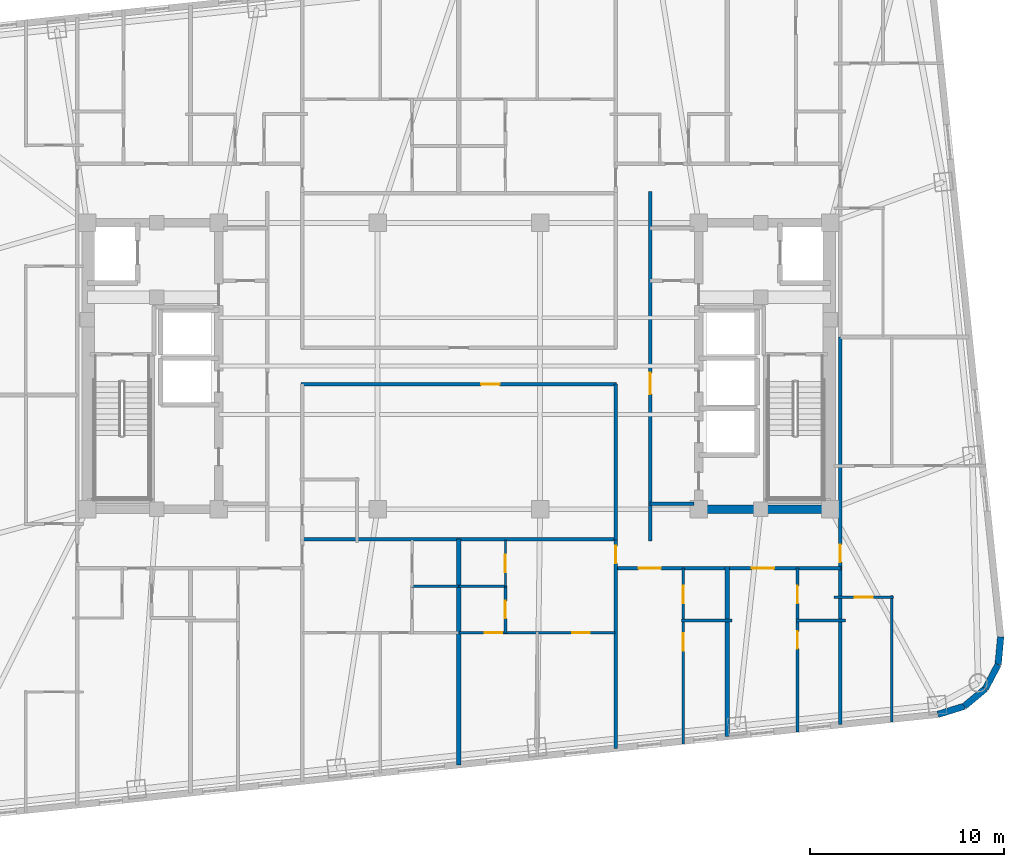
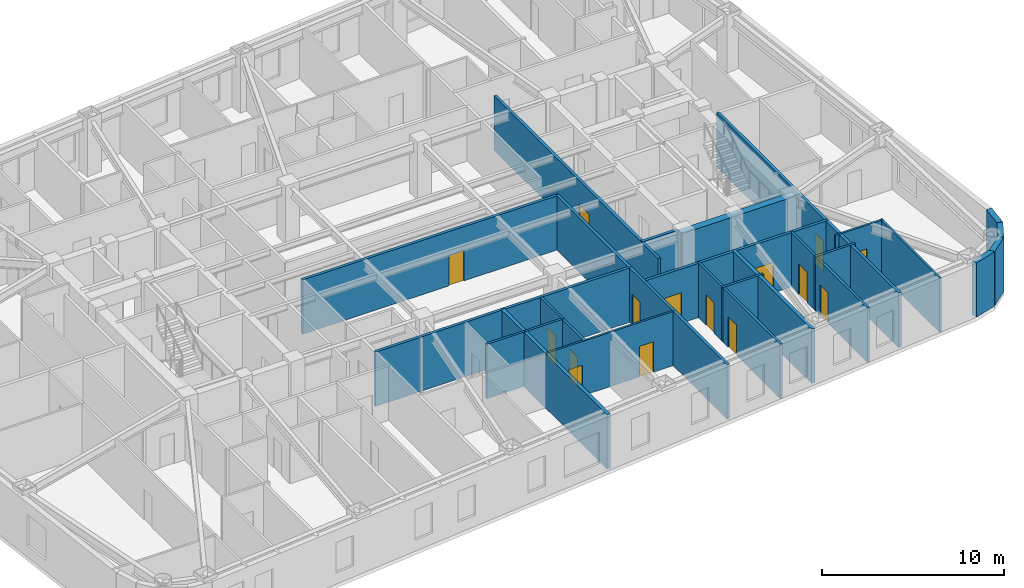
# One storey, part 5 of 11: 28 walls, 15 doors, 15 openings.
"""IFC4 building model written with IfcOpenShell, lengths in metres."""

from ifc_helpers import new_model, si_unit, direction, frame, frame_2d, origin, place, context, subcontext, project, spatial, rectangle, extrude, material, layer, layer_set, type_object, element, fill, save


model = new_model("IFC4")

# Units and contexts
model_context = context("Model", 3, precision=1e-05, world=origin(), true_north=direction((0.0, 1.0)))
body_context = subcontext(model_context, "Body", "Model", "MODEL_VIEW")
ifc_project = project(units=[si_unit("LENGTHUNIT", "METRE"), si_unit("AREAUNIT", "SQUARE_METRE"), si_unit("VOLUMEUNIT", "CUBIC_METRE"), si_unit("PLANEANGLEUNIT", "RADIAN"), si_unit("MASSUNIT", "GRAM", prefix="KILO")], contexts=[model_context])

# Site, building, storey
site_placement = place(None, origin())
site = spatial("IfcSite", under=ifc_project, at=site_placement, CompositionType="ELEMENT")
building_placement = place(site_placement, origin())
building = spatial("IfcBuilding", under=site, at=building_placement, Name="Voryun Gate Residences", CompositionType="ELEMENT")
storey_placement = place(building_placement, frame((0.0, 0.0, 156.0)))
storey = spatial("IfcBuildingStorey", under=building, at=storey_placement, Name="L38", CompositionType="ELEMENT", Elevation=156.0)

# Walls
ifc_material_1 = material(Name="Concrete C50/60", Category="concrete")
ifc_layer_1 = layer(ifc_material_1, 0.449951171875, Name="CW_CORE_450")
ifc_layer_set_1 = layer_set([ifc_layer_1], Name="Concrete C50/60")
wall_type_1 = type_object("IfcWallType", Name="CW_CORE_450", PredefinedType="SHEAR", material=ifc_layer_set_1)
wall_1_placement = place(storey_placement, frame((12.175048828125, -7.39990234375, 0.0), z_axis=(0.0, 0.0, 1.0), x_axis=(1.0, 0.0, 0.0)))
element("IfcWall", 1, at=wall_1_placement, inside=storey, type_object=wall_type_1, Name="L38 Core shear wall CW-L38-ES", PredefinedType="SHEAR", context=body_context, shape_type="SweptSolid", body=[
    extrude(rectangle(XDim=7.25, YDim=0.449951171875, at=frame_2d((3.625, 0.0))), origin(), (0.0, 0.0, 1.0), 3.64990234375),
])
ifc_material_2 = material(Name="Gypsum acoustic fireboard")
ifc_layer_2 = layer(ifc_material_2, 0.179931640625, Name="W_CORR_RATED_180")
ifc_layer_set_2 = layer_set([ifc_layer_2], Name="Gypsum acoustic fireboard")
wall_type_2 = type_object("IfcWallType", Name="W_CORR_RATED_180", PredefinedType="PARTITIONING", material=ifc_layer_set_2)
wall_2_placement = place(storey_placement, frame((9.8798828125, -7.1201171875, 0.0), z_axis=(0.0, 0.0, 1.0), x_axis=(1.0, 0.0, 0.0)))
element("IfcWall", 2, at=wall_2_placement, inside=storey, type_object=wall_type_2, Name="Partition wall WP-L38-PLBS-E", PredefinedType="PARTITIONING", context=body_context, shape_type="SweptSolid", body=[
    extrude(rectangle(XDim=2.27001953125, YDim=0.179931640625, at=frame_2d((1.135009765625, 0.0))), origin(), (0.0, 0.0, 1.0), 3.64990234375),
])

# Wall, opening, door
wall_3_placement = place(storey_placement, frame((9.89990234375, -9.030029296875, 0.0), z_axis=(0.0, 0.0, 1.0), x_axis=(0.0, 1.0, 0.0)))
wall_3 = element("IfcWall", 3, at=wall_3_placement, inside=storey, type_object=wall_type_2, Name="Partition wall WP-L38-PLBE-FULL", PredefinedType="PARTITIONING", context=body_context, shape_type="SweptSolid", body=[
    extrude(rectangle(XDim=18.06005859375, YDim=0.179931640625, at=frame_2d((9.030029296875, 0.0))), origin(), (0.0, 0.0, 1.0), 3.64990234375),
])
opening_1_placement = place(wall_3_placement, frame((7.576904296875, 0.0, 0.0)))
opening_1 = element("IfcOpeningElement", 4, at=opening_1_placement, cuts=wall_3, Name="Opening D-FD60-2", PredefinedType="OPENING", context=body_context, shape_type="SweptSolid", body=[
    extrude(rectangle(XDim=1.10009765625, YDim=2.050048828125, at=frame_2d((0.550048828125, 1.02490234375))), frame((0.0, 0.099853515625, 0.0), z_axis=(0.0, -1.0, 0.0), x_axis=(1.0, 0.0, 0.0)), (0.0, 0.0, 1.0), 0.199951171875),
])
ifc_material_3 = material(Name="Painted steel fire door", Category="steel")
door_type_1 = type_object("IfcDoorType", Name="DR_FD60_FFLOB_1100", OperationType="NOTDEFINED", PredefinedType="DOOR", material=ifc_material_3)
door_1_placement = place(opening_1_placement, origin())
door_1 = element("IfcDoor", 5, at=door_1_placement, inside=storey, type_object=door_type_1, Name="Door DR-L38-PLBE-COR", OperationType="SINGLE_SWING_RIGHT", OverallHeight=2.050048828125, OverallWidth=1.10009765625, PredefinedType="DOOR", context=body_context, shape_type="SweptSolid", body=[
    extrude(rectangle(XDim=1.10009765625, YDim=2.050048828125, at=frame_2d((0.550048828125, 1.02490234375))), frame((0.0, 0.02490234375, 0.0), z_axis=(0.0, -1.0, 0.0), x_axis=(1.0, 0.0, 0.0)), (0.0, 0.0, 1.0), 0.050048828125),
])
fill(opening_1, door_1)

# Wall
wall_4_placement = place(storey_placement, frame((-8.14990234375, -8.93994140625, 0.0), z_axis=(0.0, 0.0, 1.0), x_axis=(1.0, 0.0, 0.0)))
element("IfcWall", 6, at=wall_4_placement, inside=storey, type_object=wall_type_2, Name="Partition wall WP-L38-Z2S", PredefinedType="PARTITIONING", context=body_context, shape_type="SweptSolid", body=[
    extrude(rectangle(XDim=16.2998046875, YDim=0.179931640625, at=frame_2d((8.14990234375, 0.0))), origin(), (0.0, 0.0, 1.0), 3.64990234375),
])

# Wall, opening, door
wall_5_placement = place(storey_placement, frame((-8.14990234375, -0.93994140625, 0.0), z_axis=(0.0, 0.0, 1.0), x_axis=(1.0, 0.0, 0.0)))
wall_5 = element("IfcWall", 7, at=wall_5_placement, inside=storey, type_object=wall_type_2, Name="Partition wall WP-L38-Z2HS", PredefinedType="PARTITIONING", context=body_context, shape_type="SweptSolid", body=[
    extrude(rectangle(XDim=16.2998046875, YDim=0.179931640625, at=frame_2d((8.14990234375, 0.0))), origin(), (0.0, 0.0, 1.0), 3.64990234375),
])
opening_2_placement = place(wall_5_placement, frame((9.304931640625, 0.0, 0.0)))
opening_2 = element("IfcOpeningElement", 8, at=opening_2_placement, cuts=wall_5, Name="Opening D-INT-1", PredefinedType="OPENING", context=body_context, shape_type="SweptSolid", body=[
    extrude(rectangle(XDim=0.949951171875, YDim=2.050048828125, at=frame_2d((0.47509765625, 1.02490234375))), frame((0.0, 0.099853515625, 0.0), z_axis=(0.0, -1.0, 0.0), x_axis=(1.0, 0.0, 0.0)), (0.0, 0.0, 1.0), 0.199951171875),
])
ifc_material_4 = material(Name="Architectural oak veneer")
door_type_2 = type_object("IfcDoorType", Name="DR_INT_ROOM_950", OperationType="NOTDEFINED", PredefinedType="DOOR", material=ifc_material_4)
door_2_placement = place(opening_2_placement, origin())
door_2 = element("IfcDoor", 9, at=door_2_placement, inside=storey, type_object=door_type_2, Name="Door DR-L38-Z2SH", OperationType="SINGLE_SWING_RIGHT", OverallHeight=2.050048828125, OverallWidth=0.949951171875, PredefinedType="DOOR", context=body_context, shape_type="SweptSolid", body=[
    extrude(rectangle(XDim=0.949951171875, YDim=2.050048828125, at=frame_2d((0.47509765625, 1.02490234375))), frame((0.0, 0.02490234375, 0.0), z_axis=(0.0, -1.0, 0.0), x_axis=(1.0, 0.0, 0.0)), (0.0, 0.0, 1.0), 0.050048828125),
])
fill(opening_2, door_2)

# Wall
wall_6_placement = place(storey_placement, frame((8.10009765625, -8.97998046875, 0.0), z_axis=(0.0, 0.0, 1.0), x_axis=(0.0, 1.0, 0.0)))
element("IfcWall", 10, at=wall_6_placement, inside=storey, type_object=wall_type_2, Name="Partition wall WP-L38-Z2ER2", PredefinedType="PARTITIONING", context=body_context, shape_type="SweptSolid", body=[
    extrude(rectangle(XDim=8.06005859375, YDim=0.179931640625, at=frame_2d((4.030029296875, 0.0))), origin(), (0.0, 0.0, 1.0), 3.64990234375),
])

# Wall, openings, doors
wall_7_placement = place(storey_placement, frame((8.080078125, -10.449951171875, 0.0), z_axis=(0.0, 0.0, 1.0), x_axis=(1.0, 0.0, 0.0)))
wall_7 = element("IfcWall", 11, at=wall_7_placement, inside=storey, type_object=wall_type_2, Name="Partition wall WP-L38-SCORR-E", PredefinedType="PARTITIONING", context=body_context, shape_type="SweptSolid", body=[
    extrude(rectangle(XDim=11.669921875, YDim=0.179931640625, at=frame_2d((5.8349609375, 0.0))), origin(), (0.0, 0.0, 1.0), 3.64990234375),
])
opening_3_placement = place(wall_7_placement, frame((1.212890625, 0.0, 0.0)))
opening_3 = element("IfcOpeningElement", 12, at=opening_3_placement, cuts=wall_7, Name="Opening D-UNIT-1", PredefinedType="OPENING", context=body_context, shape_type="SweptSolid", body=[
    extrude(rectangle(XDim=1.14990234375, YDim=2.050048828125, at=frame_2d((0.574951171875, 1.02490234375))), frame((0.0, 0.099853515625, 0.0), z_axis=(0.0, -1.0, 0.0), x_axis=(1.0, 0.0, 0.0)), (0.0, 0.0, 1.0), 0.199951171875),
])
opening_4_placement = place(wall_7_placement, frame((7.05712890625, 0.0, 0.0)))
opening_4 = element("IfcOpeningElement", 13, at=opening_4_placement, cuts=wall_7, Name="Opening D-UNIT-1", PredefinedType="OPENING", context=body_context, shape_type="SweptSolid", body=[
    extrude(rectangle(XDim=1.14990234375, YDim=2.050048828125, at=frame_2d((0.574951171875, 1.02490234375))), frame((0.0, 0.099853515625, 0.0), z_axis=(0.0, -1.0, 0.0), x_axis=(1.0, 0.0, 0.0)), (0.0, 0.0, 1.0), 0.199951171875),
])
ifc_material_5 = material(Name="Armoured timber-clad fire door", Category="wood")
door_type_3 = type_object("IfcDoorType", Name="DR_UNIT_ENTRY_1150", OperationType="NOTDEFINED", PredefinedType="DOOR", material=ifc_material_5)
door_3_placement = place(opening_3_placement, origin())
door_3 = element("IfcDoor", 14, at=door_3_placement, inside=storey, type_object=door_type_3, Name="Door DR-L38-SENT-4", OperationType="SINGLE_SWING_LEFT", OverallHeight=2.050048828125, OverallWidth=1.14990234375, PredefinedType="DOOR", context=body_context, shape_type="SweptSolid", body=[
    extrude(rectangle(XDim=1.14990234375, YDim=2.050048828125, at=frame_2d((0.574951171875, 1.02490234375))), frame((0.0, 0.02490234375, 0.0), z_axis=(0.0, -1.0, 0.0), x_axis=(1.0, 0.0, 0.0)), (0.0, 0.0, 1.0), 0.050048828125),
])
fill(opening_3, door_3)
door_4_placement = place(opening_4_placement, origin())
door_4 = element("IfcDoor", 15, at=door_4_placement, inside=storey, type_object=door_type_3, Name="Door DR-L38-SENT-5", OperationType="SINGLE_SWING_RIGHT", OverallHeight=2.050048828125, OverallWidth=1.14990234375, PredefinedType="DOOR", context=body_context, shape_type="SweptSolid", body=[
    extrude(rectangle(XDim=1.14990234375, YDim=2.050048828125, at=frame_2d((0.574951171875, 1.02490234375))), frame((0.0, 0.02490234375, 0.0), z_axis=(0.0, -1.0, 0.0), x_axis=(1.0, 0.0, 0.0)), (0.0, 0.0, 1.0), 0.050048828125),
])
fill(opening_4, door_4)

# Wall, opening, door
wall_8_placement = place(storey_placement, frame((8.10009765625, -19.75390625, 0.0), z_axis=(0.0, 0.0, 1.0), x_axis=(0.0, 1.0, 0.0)))
wall_8 = element("IfcWall", 16, at=wall_8_placement, inside=storey, type_object=wall_type_2, Name="Partition wall WP-L38-SZV-2", PredefinedType="PARTITIONING", context=body_context, shape_type="SweptSolid", body=[
    extrude(rectangle(XDim=10.81396484375, YDim=0.179931640625, at=frame_2d((5.406982421875, 0.0))), origin(), (0.0, 0.0, 1.0), 3.64990234375),
])
opening_5_placement = place(wall_8_placement, frame((9.563720703125, 0.0, 0.0)))
opening_5 = element("IfcOpeningElement", 17, at=opening_5_placement, cuts=wall_8, Name="Opening D-INT-2", PredefinedType="OPENING", context=body_context, shape_type="SweptSolid", body=[
    extrude(rectangle(XDim=0.89990234375, YDim=2.050048828125, at=frame_2d((0.449951171875, 1.02490234375))), frame((0.0, 0.099853515625, 0.0), z_axis=(0.0, -1.0, 0.0), x_axis=(1.0, 0.0, 0.0)), (0.0, 0.0, 1.0), 0.199951171875),
])
ifc_material_6 = material(Name="Architectural oak veneer")
door_type_4 = type_object("IfcDoorType", Name="DR_INT_BATH_900", OperationType="NOTDEFINED", PredefinedType="DOOR", material=ifc_material_6)
door_5_placement = place(opening_5_placement, origin())
door_5 = element("IfcDoor", 18, at=door_5_placement, inside=storey, type_object=door_type_4, Name="Door DR-L38-SZENT-2", OperationType="SINGLE_SWING_RIGHT", OverallHeight=2.050048828125, OverallWidth=0.89990234375, PredefinedType="DOOR", context=body_context, shape_type="SweptSolid", body=[
    extrude(rectangle(XDim=0.89990234375, YDim=2.050048828125, at=frame_2d((0.449951171875, 1.02490234375))), frame((0.0, 0.02490234375, 0.0), z_axis=(0.0, -1.0, 0.0), x_axis=(1.0, 0.0, 0.0)), (0.0, 0.0, 1.0), 0.050048828125),
])
fill(opening_5, door_5)

wall_9_placement = place(storey_placement, frame((19.719970703125, -18.532470703125, 0.0), z_axis=(0.0, 0.0, 1.0), x_axis=(0.0, 1.0, 0.0)))
wall_9 = element("IfcWall", 19, at=wall_9_placement, inside=storey, type_object=wall_type_2, Name="Partition wall WP-L38-ECOR1", PredefinedType="PARTITIONING", context=body_context, shape_type="SweptSolid", body=[
    extrude(rectangle(XDim=20.032470703125, YDim=0.179931640625, at=frame_2d((10.01611328125, 0.0))), origin(), (0.0, 0.0, 1.0), 3.64990234375),
])
opening_6_placement = place(wall_9_placement, frame((8.40234375, 0.0, 0.0)))
opening_6 = element("IfcOpeningElement", 20, at=opening_6_placement, cuts=wall_9, Name="Opening D-INT-2", PredefinedType="OPENING", context=body_context, shape_type="SweptSolid", body=[
    extrude(rectangle(XDim=0.89990234375, YDim=2.050048828125, at=frame_2d((0.449951171875, 1.02490234375))), frame((0.0, 0.099853515625, 0.0), z_axis=(0.0, -1.0, 0.0), x_axis=(1.0, 0.0, 0.0)), (0.0, 0.0, 1.0), 0.199951171875),
])
door_6_placement = place(opening_6_placement, origin())
door_6 = element("IfcDoor", 21, at=door_6_placement, inside=storey, type_object=door_type_4, Name="Door DR-L38-EE1", OperationType="SINGLE_SWING_LEFT", OverallHeight=2.050048828125, OverallWidth=0.89990234375, PredefinedType="DOOR", context=body_context, shape_type="SweptSolid", body=[
    extrude(rectangle(XDim=0.89990234375, YDim=2.050048828125, at=frame_2d((0.449951171875, 1.02490234375))), frame((0.0, 0.02490234375, 0.0), z_axis=(0.0, -1.0, 0.0), x_axis=(1.0, 0.0, 0.0)), (0.0, 0.0, 1.0), 0.050048828125),
])
fill(opening_6, door_6)

# Walls
ifc_material_7 = material(Name="Charcoal terracotta masonry", Category="masonry")
ifc_layer_3 = layer(ifc_material_7, 0.340087890625, Name="W_EXT_TERRACOTTA_340")
ifc_layer_set_3 = layer_set([ifc_layer_3], Name="Charcoal terracotta masonry")
wall_type_3 = type_object("IfcWallType", Name="W_EXT_TERRACOTTA_340", PredefinedType="ELEMENTEDWALL", material=ifc_layer_set_3)
wall_10_placement = place(storey_placement, frame((28.001220703125, -13.9951171875, 0.0), z_axis=(0.0, 0.0, 1.0), x_axis=(-0.091534682358, -0.995801888894, 0.0)))
element("IfcWall", 22, at=wall_10_placement, inside=storey, type_object=wall_type_3, Name="Exterior wall WEXT-L38-17", PredefinedType="ELEMENTEDWALL", context=body_context, shape_type="SweptSolid", body=[
    extrude(rectangle(XDim=1.432373046875, YDim=0.340087890625, at=frame_2d((0.71630859375, 0.0))), origin(), (0.0, 0.0, 1.0), 3.64990234375),
])
for number, where, z_axis, x_axis, name in (
    (23, (27.8701171875, -15.42138671875, 0.0), (0.0, 0.0, 1.0), (-0.465682431293, -0.884951904447, 0.0), "Exterior wall WEXT-L38-18"),
    (24, (27.211181640625, -16.673583984375, 0.0), (0.0, 0.0, 1.0), (-0.768758372808, -0.639539337522, 0.0), "Exterior wall WEXT-L38-19"),
):
    element("IfcWall", number, at=place(storey_placement, frame(where, z_axis=z_axis, x_axis=x_axis)), inside=storey, type_object=wall_type_3, Name=name, PredefinedType="ELEMENTEDWALL", context=body_context, shape_type="SweptSolid", body=[
        extrude(rectangle(XDim=1.4150390625, YDim=0.340087890625, at=frame_2d((0.70751953125, 0.0))), origin(), (0.0, 0.0, 1.0), 3.64990234375),
    ])
wall_11_placement = place(storey_placement, frame((26.123291015625, -17.57861328125, 0.0), z_axis=(0.0, 0.0, 1.0), x_axis=(-0.955042500381, -0.296468923271, 0.0)))
element("IfcWall", 25, at=wall_11_placement, inside=storey, type_object=wall_type_3, Name="Exterior wall WEXT-L38-20", PredefinedType="ELEMENTEDWALL", context=body_context, shape_type="SweptSolid", body=[
    extrude(rectangle(XDim=1.43212890625, YDim=0.340087890625, at=frame_2d((0.716064453125, 0.0))), origin(), (0.0, 0.0, 1.0), 3.64990234375),
])
ifc_material_8 = material(Name="Concrete C40/50", Category="concrete")
ifc_layer_4 = layer(ifc_material_8, 0.219970703125, Name="W_PARTY_ACOUSTIC_220")
ifc_layer_set_4 = layer_set([ifc_layer_4], Name="Concrete C40/50")
wall_type_4 = type_object("IfcWallType", Name="W_PARTY_ACOUSTIC_220", PredefinedType="PARTITIONING", material=ifc_layer_set_4)
wall_12_placement = place(storey_placement, frame((13.864990234375, -19.147705078125, 0.0), z_axis=(0.0, 0.0, 1.0), x_axis=(0.0, 1.0, 0.0)))
element("IfcWall", 26, at=wall_12_placement, inside=storey, type_object=wall_type_4, Name="Partition wall WP-L38-SPTY-4", PredefinedType="PARTITIONING", context=body_context, shape_type="SweptSolid", body=[
    extrude(rectangle(XDim=8.777587890625, YDim=0.219970703125, at=frame_2d((4.388671875, 0.0))), origin(), (0.0, 0.0, 1.0), 3.64990234375),
])
wall_13_placement = place(storey_placement, frame((0.0, -20.60498046875, 0.0), z_axis=(0.0, 0.0, 1.0), x_axis=(0.0, 1.0, 0.0)))
element("IfcWall", 27, at=wall_13_placement, inside=storey, type_object=wall_type_4, Name="Partition wall WP-L38-SZMID", PredefinedType="PARTITIONING", context=body_context, shape_type="SweptSolid", body=[
    extrude(rectangle(XDim=11.6650390625, YDim=0.219970703125, at=frame_2d((5.83251953125, 0.0))), origin(), (0.0, 0.0, 1.0), 3.64990234375),
])

# Wall, openings, doors
ifc_material_9 = material(Name="Gypsum acoustic partition")
ifc_layer_5 = layer(ifc_material_9, 0.125, Name="W_UNIT_PART_125")
ifc_layer_set_5 = layer_set([ifc_layer_5], Name="Gypsum acoustic partition")
wall_type_5 = type_object("IfcWallType", Name="W_UNIT_PART_125", PredefinedType="PARTITIONING", material=ifc_layer_set_5)
wall_14_placement = place(storey_placement, frame((0.02001953125, -13.780029296875, 0.0), z_axis=(0.0, 0.0, 1.0), x_axis=(1.0, 0.0, 0.0)))
wall_14 = element("IfcWall", 28, at=wall_14_placement, inside=storey, type_object=wall_type_5, Name="Partition wall WP-L38-SC2-HZ", PredefinedType="PARTITIONING", context=body_context, shape_type="SweptSolid", body=[
    extrude(rectangle(XDim=8.06005859375, YDim=0.125, at=frame_2d((4.030029296875, 0.0))), origin(), (0.0, 0.0, 1.0), 3.64990234375),
])
opening_7_placement = place(wall_14_placement, frame((1.3232421875, 0.0, 0.0)))
opening_7 = element("IfcOpeningElement", 29, at=opening_7_placement, cuts=wall_14, Name="Opening D-INT-2", PredefinedType="OPENING", context=body_context, shape_type="SweptSolid", body=[
    extrude(rectangle(XDim=0.89990234375, YDim=2.050048828125, at=frame_2d((0.449951171875, 1.02490234375))), frame((0.0, 0.072509765625, 0.0), z_axis=(0.0, -1.0, 0.0), x_axis=(1.0, 0.0, 0.0)), (0.0, 0.0, 1.0), 0.14501953125),
])
opening_8_placement = place(wall_14_placement, frame((5.8369140625, 0.0, 0.0)))
opening_8 = element("IfcOpeningElement", 30, at=opening_8_placement, cuts=wall_14, Name="Opening D-INT-2", PredefinedType="OPENING", context=body_context, shape_type="SweptSolid", body=[
    extrude(rectangle(XDim=0.89990234375, YDim=2.050048828125, at=frame_2d((0.449951171875, 1.02490234375))), frame((0.0, 0.072509765625, 0.0), z_axis=(0.0, -1.0, 0.0), x_axis=(1.0, 0.0, 0.0)), (0.0, 0.0, 1.0), 0.14501953125),
])
door_7_placement = place(opening_7_placement, origin())
door_7 = element("IfcDoor", 31, at=door_7_placement, inside=storey, type_object=door_type_4, Name="Door DR-L38-SC2-DMB", OperationType="SINGLE_SWING_LEFT", OverallHeight=2.050048828125, OverallWidth=0.89990234375, PredefinedType="DOOR", context=body_context, shape_type="SweptSolid", body=[
    extrude(rectangle(XDim=0.89990234375, YDim=2.050048828125, at=frame_2d((0.449951171875, 1.02490234375))), frame((0.0, 0.02490234375, 0.0), z_axis=(0.0, -1.0, 0.0), x_axis=(1.0, 0.0, 0.0)), (0.0, 0.0, 1.0), 0.050048828125),
])
fill(opening_7, door_7)
door_8_placement = place(opening_8_placement, origin())
door_8 = element("IfcDoor", 32, at=door_8_placement, inside=storey, type_object=door_type_4, Name="Door DR-L38-SC2-DBD2", OperationType="SINGLE_SWING_RIGHT", OverallHeight=2.050048828125, OverallWidth=0.89990234375, PredefinedType="DOOR", context=body_context, shape_type="SweptSolid", body=[
    extrude(rectangle(XDim=0.89990234375, YDim=2.050048828125, at=frame_2d((0.449951171875, 1.02490234375))), frame((0.0, 0.02490234375, 0.0), z_axis=(0.0, -1.0, 0.0), x_axis=(1.0, 0.0, 0.0)), (0.0, 0.0, 1.0), 0.050048828125),
])
fill(opening_8, door_8)

# Wall, opening, door
wall_15_placement = place(storey_placement, frame((2.409912109375, -11.409912109375, 0.0), z_axis=(0.0, 0.0, 1.0), x_axis=(0.0, 1.0, 0.0)))
wall_15 = element("IfcWall", 33, at=wall_15_placement, inside=storey, type_object=wall_type_5, Name="Partition wall WP-L38-SC2-VK1", PredefinedType="PARTITIONING", context=body_context, shape_type="SweptSolid", body=[
    extrude(rectangle(XDim=2.409912109375, YDim=0.125, at=frame_2d((1.205078125, 0.0))), origin(), (0.0, 0.0, 1.0), 3.64990234375),
])
opening_9_placement = place(wall_15_placement, frame((0.7548828125, 0.0, 0.0)))
opening_9 = element("IfcOpeningElement", 34, at=opening_9_placement, cuts=wall_15, Name="Opening D-INT-2", PredefinedType="OPENING", context=body_context, shape_type="SweptSolid", body=[
    extrude(rectangle(XDim=0.89990234375, YDim=2.050048828125, at=frame_2d((0.449951171875, 1.02490234375))), frame((0.0, 0.072509765625, 0.0), z_axis=(0.0, -1.0, 0.0), x_axis=(1.0, 0.0, 0.0)), (0.0, 0.0, 1.0), 0.14501953125),
])
door_9_placement = place(opening_9_placement, origin())
door_9 = element("IfcDoor", 35, at=door_9_placement, inside=storey, type_object=door_type_4, Name="Door DR-L38-SC2-DK", OperationType="SINGLE_SWING_LEFT", OverallHeight=2.050048828125, OverallWidth=0.89990234375, PredefinedType="DOOR", context=body_context, shape_type="SweptSolid", body=[
    extrude(rectangle(XDim=0.89990234375, YDim=2.050048828125, at=frame_2d((0.449951171875, 1.02490234375))), frame((0.0, 0.02490234375, 0.0), z_axis=(0.0, -1.0, 0.0), x_axis=(1.0, 0.0, 0.0)), (0.0, 0.0, 1.0), 0.050048828125),
])
fill(opening_9, door_9)

wall_16_placement = place(storey_placement, frame((19.39990234375, -11.93896484375, 0.0), z_axis=(0.0, 0.0, 1.0), x_axis=(1.0, 0.0, 0.0)))
wall_16 = element("IfcWall", 36, at=wall_16_placement, inside=storey, type_object=wall_type_5, Name="Partition wall WP-L38-E1-IKA", PredefinedType="PARTITIONING", context=body_context, shape_type="SweptSolid", body=[
    extrude(rectangle(XDim=3.050048828125, YDim=0.125, at=frame_2d((1.52490234375, 0.0))), origin(), (0.0, 0.0, 1.0), 3.64990234375),
])
opening_10_placement = place(wall_16_placement, frame((1.050048828125, 0.0, 0.0)))
opening_10 = element("IfcOpeningElement", 37, at=opening_10_placement, cuts=wall_16, Name="Opening D-INT-1", PredefinedType="OPENING", context=body_context, shape_type="SweptSolid", body=[
    extrude(rectangle(XDim=0.949951171875, YDim=2.050048828125, at=frame_2d((0.47509765625, 1.02490234375))), frame((0.0, 0.072509765625, 0.0), z_axis=(0.0, -1.0, 0.0), x_axis=(1.0, 0.0, 0.0)), (0.0, 0.0, 1.0), 0.14501953125),
])
door_10_placement = place(opening_10_placement, origin())
door_10 = element("IfcDoor", 38, at=door_10_placement, inside=storey, type_object=door_type_2, Name="Door DR-L38-E1-DK", OperationType="SINGLE_SWING_LEFT", OverallHeight=2.050048828125, OverallWidth=0.949951171875, PredefinedType="DOOR", context=body_context, shape_type="SweptSolid", body=[
    extrude(rectangle(XDim=0.949951171875, YDim=2.050048828125, at=frame_2d((0.47509765625, 1.02490234375))), frame((0.0, 0.02490234375, 0.0), z_axis=(0.0, -1.0, 0.0), x_axis=(1.0, 0.0, 0.0)), (0.0, 0.0, 1.0), 0.050048828125),
])
fill(opening_10, door_10)

# Walls
wall_17_placement = place(storey_placement, frame((22.3701171875, -18.40478515625, 0.0), z_axis=(0.0, 0.0, 1.0), x_axis=(0.0, 1.0, 0.0)))
element("IfcWall", 39, at=wall_17_placement, inside=storey, type_object=wall_type_5, Name="Partition wall WP-L38-E1-VTA", PredefinedType="PARTITIONING", context=body_context, shape_type="SweptSolid", body=[
    extrude(rectangle(XDim=6.5458984375, YDim=0.125, at=frame_2d((3.27294921875, 0.0))), origin(), (0.0, 0.0, 1.0), 3.64990234375),
])
ifc_material_10 = material(Name="Gypsum moisture-resistant partition")
ifc_layer_6 = layer(ifc_material_10, 0.14990234375, Name="W_WET_PLUMB_150")
ifc_layer_set_6 = layer_set([ifc_layer_6], Name="Gypsum moisture-resistant partition")
wall_type_6 = type_object("IfcWallType", Name="W_WET_PLUMB_150", PredefinedType="PLUMBINGWALL", material=ifc_layer_set_6)
wall_18_placement = place(storey_placement, frame((11.51611328125, -13.14990234375, 0.0), z_axis=(0.0, 0.0, 1.0), x_axis=(1.0, 0.0, 0.0)))
element("IfcWall", 40, at=wall_18_placement, inside=storey, type_object=wall_type_6, Name="Partition wall WP-L38-S4-SKB", PredefinedType="PLUMBINGWALL", context=body_context, shape_type="SweptSolid", body=[
    extrude(rectangle(XDim=2.60888671875, YDim=0.14990234375, at=frame_2d((1.304443359375, 0.0))), origin(), (0.0, 0.0, 1.0), 3.64990234375),
])

# Wall, opening, door
wall_19_placement = place(storey_placement, frame((11.595947265625, -19.537109375, 0.0), z_axis=(0.0, 0.0, 1.0), x_axis=(0.0, 1.0, 0.0)))
wall_19 = element("IfcWall", 41, at=wall_19_placement, inside=storey, type_object=wall_type_6, Name="Partition wall WP-L38-S4-SVT1", PredefinedType="PLUMBINGWALL", context=body_context, shape_type="SweptSolid", body=[
    extrude(rectangle(XDim=6.427001953125, YDim=0.14990234375, at=frame_2d((3.21337890625, 0.0))), origin(), (0.0, 0.0, 1.0), 3.64990234375),
])
opening_11_placement = place(wall_19_placement, frame((4.8203125, 0.0, 0.0)))
opening_11 = element("IfcOpeningElement", 42, at=opening_11_placement, cuts=wall_19, Name="Opening D-INT-2", PredefinedType="OPENING", context=body_context, shape_type="SweptSolid", body=[
    extrude(rectangle(XDim=0.89990234375, YDim=2.050048828125, at=frame_2d((0.449951171875, 1.02490234375))), frame((0.0, 0.0849609375, 0.0), z_axis=(0.0, -1.0, 0.0), x_axis=(1.0, 0.0, 0.0)), (0.0, 0.0, 1.0), 0.169921875),
])
door_11_placement = place(opening_11_placement, origin())
door_11 = element("IfcDoor", 43, at=door_11_placement, inside=storey, type_object=door_type_4, Name="Door DR-L38-S4-DK", OperationType="SINGLE_SWING_LEFT", OverallHeight=2.050048828125, OverallWidth=0.89990234375, PredefinedType="DOOR", context=body_context, shape_type="SweptSolid", body=[
    extrude(rectangle(XDim=0.89990234375, YDim=2.050048828125, at=frame_2d((0.449951171875, 1.02490234375))), frame((0.0, 0.02490234375, 0.0), z_axis=(0.0, -1.0, 0.0), x_axis=(1.0, 0.0, 0.0)), (0.0, 0.0, 1.0), 0.050048828125),
])
fill(opening_11, door_11)

wall_20_placement = place(storey_placement, frame((11.595947265625, -13.18994140625, 0.0), z_axis=(0.0, 0.0, 1.0), x_axis=(0.0, 1.0, 0.0)))
wall_20 = element("IfcWall", 44, at=wall_20_placement, inside=storey, type_object=wall_type_6, Name="Partition wall WP-L38-S4-SVT2", PredefinedType="PLUMBINGWALL", context=body_context, shape_type="SweptSolid", body=[
    extrude(rectangle(XDim=2.760009765625, YDim=0.14990234375, at=frame_2d((1.3798828125, 0.0))), origin(), (0.0, 0.0, 1.0), 3.64990234375),
])
opening_12_placement = place(wall_20_placement, frame((0.929931640625, 0.0, 0.0)))
opening_12 = element("IfcOpeningElement", 45, at=opening_12_placement, cuts=wall_20, Name="Opening D-INT-2", PredefinedType="OPENING", context=body_context, shape_type="SweptSolid", body=[
    extrude(rectangle(XDim=0.89990234375, YDim=2.050048828125, at=frame_2d((0.449951171875, 1.02490234375))), frame((0.0, 0.0849609375, 0.0), z_axis=(0.0, -1.0, 0.0), x_axis=(1.0, 0.0, 0.0)), (0.0, 0.0, 1.0), 0.169921875),
])
door_12_placement = place(opening_12_placement, origin())
door_12 = element("IfcDoor", 46, at=door_12_placement, inside=storey, type_object=door_type_4, Name="Door DR-L38-S4-DB", OperationType="SINGLE_SWING_RIGHT", OverallHeight=2.050048828125, OverallWidth=0.89990234375, PredefinedType="DOOR", context=body_context, shape_type="SweptSolid", body=[
    extrude(rectangle(XDim=0.89990234375, YDim=2.050048828125, at=frame_2d((0.449951171875, 1.02490234375))), frame((0.0, 0.02490234375, 0.0), z_axis=(0.0, -1.0, 0.0), x_axis=(1.0, 0.0, 0.0)), (0.0, 0.0, 1.0), 0.050048828125),
])
fill(opening_12, door_12)

# Wall
wall_21_placement = place(storey_placement, frame((17.419921875, -13.14990234375, 0.0), z_axis=(0.0, 0.0, 1.0), x_axis=(1.0, 0.0, 0.0)))
element("IfcWall", 47, at=wall_21_placement, inside=storey, type_object=wall_type_6, Name="Partition wall WP-L38-S5-SKB", PredefinedType="PLUMBINGWALL", context=body_context, shape_type="SweptSolid", body=[
    extrude(rectangle(XDim=2.550048828125, YDim=0.14990234375, at=frame_2d((1.27490234375, 0.0))), origin(), (0.0, 0.0, 1.0), 3.64990234375),
])

# Wall, opening, door
wall_22_placement = place(storey_placement, frame((17.5, -18.91650390625, 0.0), z_axis=(0.0, 0.0, 1.0), x_axis=(0.0, 1.0, 0.0)))
wall_22 = element("IfcWall", 48, at=wall_22_placement, inside=storey, type_object=wall_type_6, Name="Partition wall WP-L38-S5-SVT1", PredefinedType="PLUMBINGWALL", context=body_context, shape_type="SweptSolid", body=[
    extrude(rectangle(XDim=5.806396484375, YDim=0.14990234375, at=frame_2d((2.9033203125, 0.0))), origin(), (0.0, 0.0, 1.0), 3.64990234375),
])
opening_13_placement = place(wall_22_placement, frame((4.311279296875, 0.0, 0.0)))
opening_13 = element("IfcOpeningElement", 49, at=opening_13_placement, cuts=wall_22, Name="Opening D-INT-2", PredefinedType="OPENING", context=body_context, shape_type="SweptSolid", body=[
    extrude(rectangle(XDim=0.89990234375, YDim=2.050048828125, at=frame_2d((0.449951171875, 1.02490234375))), frame((0.0, 0.0849609375, 0.0), z_axis=(0.0, -1.0, 0.0), x_axis=(1.0, 0.0, 0.0)), (0.0, 0.0, 1.0), 0.169921875),
])
door_13_placement = place(opening_13_placement, origin())
door_13 = element("IfcDoor", 50, at=door_13_placement, inside=storey, type_object=door_type_4, Name="Door DR-L38-S5-DK", OperationType="SINGLE_SWING_LEFT", OverallHeight=2.050048828125, OverallWidth=0.89990234375, PredefinedType="DOOR", context=body_context, shape_type="SweptSolid", body=[
    extrude(rectangle(XDim=0.89990234375, YDim=2.050048828125, at=frame_2d((0.449951171875, 1.02490234375))), frame((0.0, 0.02490234375, 0.0), z_axis=(0.0, -1.0, 0.0), x_axis=(1.0, 0.0, 0.0)), (0.0, 0.0, 1.0), 0.050048828125),
])
fill(opening_13, door_13)

wall_23_placement = place(storey_placement, frame((17.5, -13.18994140625, 0.0), z_axis=(0.0, 0.0, 1.0), x_axis=(0.0, 1.0, 0.0)))
wall_23 = element("IfcWall", 51, at=wall_23_placement, inside=storey, type_object=wall_type_6, Name="Partition wall WP-L38-S5-SVT2", PredefinedType="PLUMBINGWALL", context=body_context, shape_type="SweptSolid", body=[
    extrude(rectangle(XDim=2.760009765625, YDim=0.14990234375, at=frame_2d((1.3798828125, 0.0))), origin(), (0.0, 0.0, 1.0), 3.64990234375),
])
opening_14_placement = place(wall_23_placement, frame((0.929931640625, 0.0, 0.0)))
opening_14 = element("IfcOpeningElement", 52, at=opening_14_placement, cuts=wall_23, Name="Opening D-INT-2", PredefinedType="OPENING", context=body_context, shape_type="SweptSolid", body=[
    extrude(rectangle(XDim=0.89990234375, YDim=2.050048828125, at=frame_2d((0.449951171875, 1.02490234375))), frame((0.0, 0.0849609375, 0.0), z_axis=(0.0, -1.0, 0.0), x_axis=(1.0, 0.0, 0.0)), (0.0, 0.0, 1.0), 0.169921875),
])
door_14_placement = place(opening_14_placement, origin())
door_14 = element("IfcDoor", 53, at=door_14_placement, inside=storey, type_object=door_type_4, Name="Door DR-L38-S5-DB", OperationType="SINGLE_SWING_RIGHT", OverallHeight=2.050048828125, OverallWidth=0.89990234375, PredefinedType="DOOR", context=body_context, shape_type="SweptSolid", body=[
    extrude(rectangle(XDim=0.89990234375, YDim=2.050048828125, at=frame_2d((0.449951171875, 1.02490234375))), frame((0.0, 0.02490234375, 0.0), z_axis=(0.0, -1.0, 0.0), x_axis=(1.0, 0.0, 0.0)), (0.0, 0.0, 1.0), 0.050048828125),
])
fill(opening_14, door_14)

# Wall
wall_24_placement = place(storey_placement, frame((-2.449951171875, -11.3798828125, 0.0), z_axis=(0.0, 0.0, 1.0), x_axis=(1.0, 0.0, 0.0)))
element("IfcWall", 54, at=wall_24_placement, inside=storey, type_object=wall_type_6, Name="Partition wall WP-L38-SC1-HKB", PredefinedType="PLUMBINGWALL", context=body_context, shape_type="SweptSolid", body=[
    extrude(rectangle(XDim=2.429931640625, YDim=0.14990234375, at=frame_2d((1.21484375, 0.0))), origin(), (0.0, 0.0, 1.0), 3.64990234375),
])

# Wall, opening, door
wall_25_placement = place(storey_placement, frame((2.409912109375, -13.820068359375, 0.0), z_axis=(0.0, 0.0, 1.0), x_axis=(0.0, 1.0, 0.0)))
wall_25 = element("IfcWall", 55, at=wall_25_placement, inside=storey, type_object=wall_type_6, Name="Partition wall WP-L38-SC2-VK2", PredefinedType="PLUMBINGWALL", context=body_context, shape_type="SweptSolid", body=[
    extrude(rectangle(XDim=2.469970703125, YDim=0.14990234375, at=frame_2d((1.23486328125, 0.0))), origin(), (0.0, 0.0, 1.0), 3.64990234375),
])
opening_15_placement = place(wall_25_placement, frame((0.784912109375, 0.0, 0.0)))
opening_15 = element("IfcOpeningElement", 56, at=opening_15_placement, cuts=wall_25, Name="Opening D-INT-2", PredefinedType="OPENING", context=body_context, shape_type="SweptSolid", body=[
    extrude(rectangle(XDim=0.89990234375, YDim=2.050048828125, at=frame_2d((0.449951171875, 1.02490234375))), frame((0.0, 0.0849609375, 0.0), z_axis=(0.0, -1.0, 0.0), x_axis=(1.0, 0.0, 0.0)), (0.0, 0.0, 1.0), 0.169921875),
])
door_15_placement = place(opening_15_placement, origin())
door_15 = element("IfcDoor", 57, at=door_15_placement, inside=storey, type_object=door_type_4, Name="Door DR-L38-SC2-DB", OperationType="SINGLE_SWING_RIGHT", OverallHeight=2.050048828125, OverallWidth=0.89990234375, PredefinedType="DOOR", context=body_context, shape_type="SweptSolid", body=[
    extrude(rectangle(XDim=0.89990234375, YDim=2.050048828125, at=frame_2d((0.449951171875, 1.02490234375))), frame((0.0, 0.02490234375, 0.0), z_axis=(0.0, -1.0, 0.0), x_axis=(1.0, 0.0, 0.0)), (0.0, 0.0, 1.0), 0.050048828125),
])
fill(opening_15, door_15)

# Wall
wall_26_placement = place(storey_placement, frame((0.02001953125, -11.3798828125, 0.0), z_axis=(0.0, 0.0, 1.0), x_axis=(1.0, 0.0, 0.0)))
element("IfcWall", 58, at=wall_26_placement, inside=storey, type_object=wall_type_6, Name="Partition wall WP-L38-SC2-HKB", PredefinedType="PLUMBINGWALL", context=body_context, shape_type="SweptSolid", body=[
    extrude(rectangle(XDim=2.429931640625, YDim=0.14990234375, at=frame_2d((1.21484375, 0.0))), origin(), (0.0, 0.0, 1.0), 3.64990234375),
])

save(model, "model.ifc")
